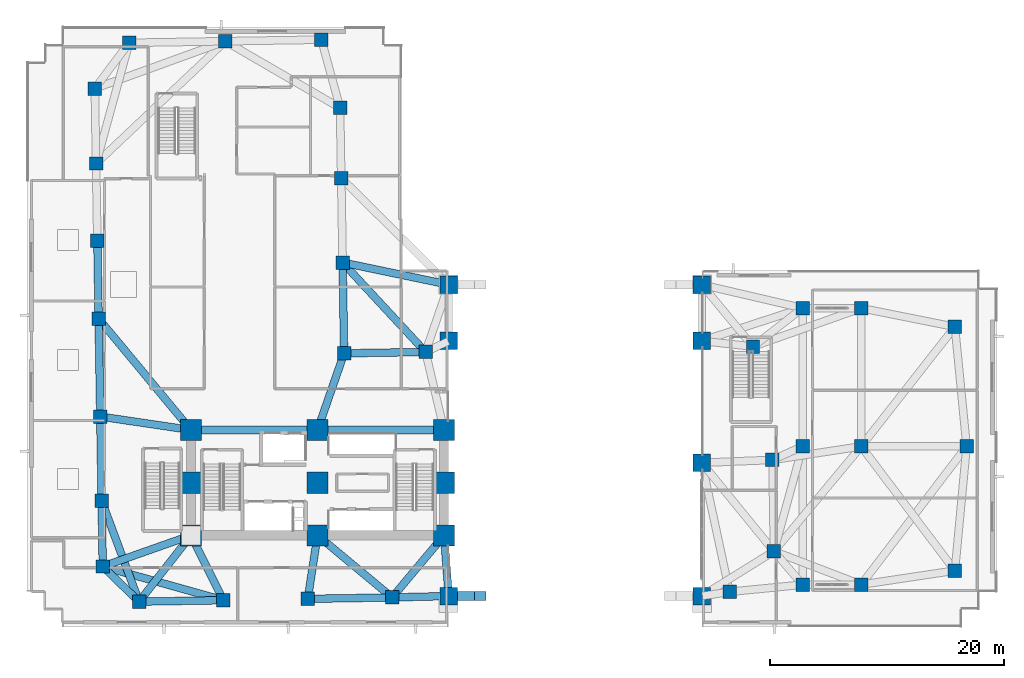
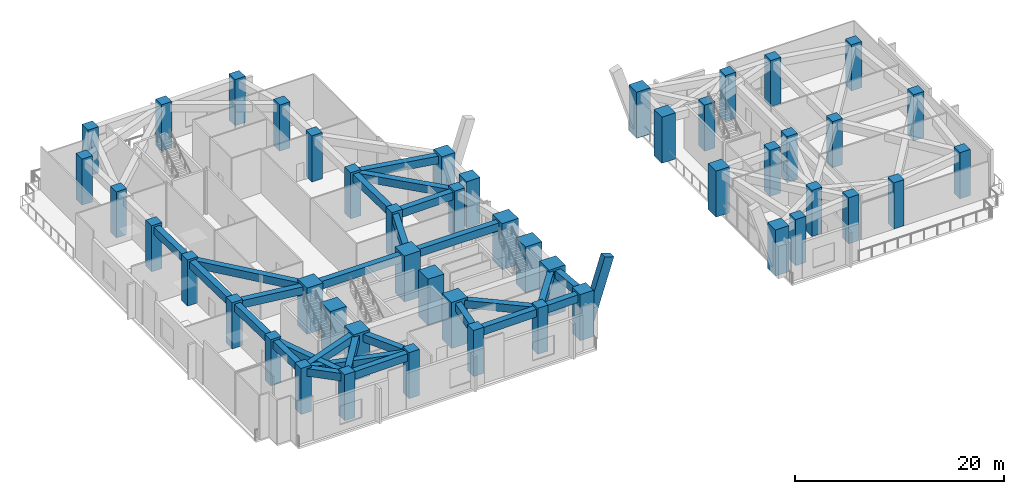
# One storey, part 1 of 18: 48 columns, 27 beams.
"""IFC4 building model written with IfcOpenShell, lengths in metres."""

from ifc_helpers import new_model, si_unit, direction, frame, origin, origin_2d, place, context, subcontext, project, spatial, rectangle, extrude, material, material_profile, profile_set, type_object, element, save


model = new_model("IFC4")

# Units and contexts
model_context = context("Model", 3, precision=1e-05, world=origin(), true_north=direction((0.0, 1.0)))
body_context = subcontext(model_context, "Body", "Model", "MODEL_VIEW")
ifc_project = project(units=[si_unit("LENGTHUNIT", "METRE"), si_unit("AREAUNIT", "SQUARE_METRE"), si_unit("VOLUMEUNIT", "CUBIC_METRE"), si_unit("PLANEANGLEUNIT", "RADIAN"), si_unit("MASSUNIT", "GRAM", prefix="KILO")], contexts=[model_context])

# Site, building, storey
site_placement = place(None, origin())
site = spatial("IfcSite", under=ifc_project, at=site_placement, CompositionType="ELEMENT")
building_placement = place(site_placement, origin())
building = spatial("IfcBuilding", under=site, at=building_placement, Name="Gaonmaruhae Medical Tower", CompositionType="ELEMENT")
storey_placement = place(building_placement, frame((0.0, 0.0, 5.39990234375)))
storey = spatial("IfcBuildingStorey", under=building, at=storey_placement, Name="L01", CompositionType="ELEMENT", Elevation=5.39990234375)

# Columns
ifc_material_1 = material(Name="Concrete C60/75", Category="concrete")
ifc_material_profile_1 = material_profile(ifc_material_1, rectangle(XDim=1.800048828125, YDim=1.800048828125, at=origin_2d()), Name="RC-1800x1800")
ifc_profile_set_1 = profile_set([ifc_material_profile_1], Name="Concrete C60/75")
column_type_1 = type_object("IfcColumnType", Name="CC-01 Lower Core Mega Column (RC-1800x1800)", PredefinedType="COLUMN", material=ifc_profile_set_1)
for number, where, z_axis, x_axis, name in (
    (1, (14.0, 7.800048828125, 0.0), (0.0, 0.0, 1.0), (1.0, 0.0, 0.0), "L01 Plumb Core Column CC11"),
    (2, (14.0, 12.300048828125, 0.0), (0.0, 0.0, 1.0), (1.0, 0.0, 0.0), "L01 Plumb Core Column CC12"),
    (3, (14.0, 16.800048828125, 0.0), (0.0, 0.0, 1.0), (1.0, 0.0, 0.0), "L01 Plumb Core Column CC13"),
    (4, (24.800048828125, 7.800048828125, 0.0), (0.0, 0.0, 1.0), (1.0, 0.0, 0.0), "L01 Plumb Core Column CC21"),
    (5, (24.800048828125, 12.300048828125, 0.0), (0.0, 0.0, 1.0), (1.0, 0.0, 0.0), "L01 Plumb Core Column CC22"),
    (6, (24.800048828125, 16.800048828125, 0.0), (0.0, 0.0, 1.0), (1.0, 0.0, 0.0), "L01 Plumb Core Column CC23"),
    (7, (35.60009765625, 7.800048828125, 0.0), (0.0, 0.0, 1.0), (1.0, 0.0, 0.0), "L01 Plumb Core Column CC31"),
    (8, (35.60009765625, 12.300048828125, 0.0), (0.0, 0.0, 1.0), (1.0, 0.0, 0.0), "L01 Plumb Core Column CC32"),
    (9, (35.60009765625, 16.800048828125, 0.0), (0.0, 0.0, 1.0), (1.0, 0.0, 0.0), "L01 Plumb Core Column CC33"),
):
    element("IfcColumn", number, at=place(storey_placement, frame(where, z_axis=z_axis, x_axis=x_axis)), inside=storey, type_object=column_type_1, Name=name, PredefinedType="COLUMN", context=body_context, shape_type="SweptSolid", body=[
        extrude(rectangle(XDim=1.800048828125, YDim=1.800048828125, at=origin_2d()), origin(), (0.0, 0.0, 1.0), 5.400146484375),
    ])
ifc_material_profile_2 = material_profile(ifc_material_1, rectangle(XDim=1.5, YDim=1.5, at=origin_2d()), Name="RC-1500x1500")
ifc_profile_set_2 = profile_set([ifc_material_profile_2], Name="Concrete C60/75")
column_type_2 = type_object("IfcColumnType", Name="PC-C1 Portal Arch Exterior Spring Pier (RC-1500x1500)", PredefinedType="PILASTER", material=ifc_profile_set_2)
for number, where, z_axis, x_axis, name in (
    (10, (36.0, 29.199951171875, 0.0), (0.0, 0.0, 1.0), (1.0, 0.0, 0.0), "L01 Podium Column AP-W4"),
    (11, (57.60009765625, 29.199951171875, 0.0), (0.0, 0.0, 1.0), (1.0, 0.0, 0.0), "L01 Podium Column AP-E4"),
):
    element("IfcColumn", number, at=place(storey_placement, frame(where, z_axis=z_axis, x_axis=x_axis)), inside=storey, type_object=column_type_2, Name=name, PredefinedType="PILASTER", context=body_context, shape_type="SweptSolid", body=[
        extrude(rectangle(XDim=1.5, YDim=1.5, at=origin_2d()), origin(), (0.0, 0.0, 1.0), 5.400146484375),
    ])
ifc_material_profile_3 = material_profile(ifc_material_1, rectangle(XDim=1.5, YDim=1.5, at=origin_2d()), Name="RC-1500x1500")
ifc_profile_set_3 = profile_set([ifc_material_profile_3], Name="Concrete C60/75")
column_type_3 = type_object("IfcColumnType", Name="PC-C1I Portal Arch Interior Spring Pier (RC-1500x1500)", PredefinedType="PILASTER", material=ifc_profile_set_3)
for number, where, z_axis, x_axis, name in (
    (12, (36.0, 2.6259765625, 0.0), (0.0, 0.0, 1.0), (1.0, 0.0, 0.0), "L01 Podium Column AP-W1"),
    (13, (57.60009765625, 2.6259765625, 0.0), (0.0, 0.0, 1.0), (1.0, 0.0, 0.0), "L01 Podium Column AP-E1"),
    (14, (57.60009765625, 14.0, 0.0), (0.0, 0.0, 1.0), (1.0, 0.0, 0.0), "L01 Podium Column AP-E2"),
    (15, (36.0, 24.39990234375, 0.0), (0.0, 0.0, 1.0), (1.0, 0.0, 0.0), "L01 Podium Column AP-W3"),
    (16, (57.60009765625, 24.39990234375, 0.0), (0.0, 0.0, 1.0), (1.0, 0.0, 0.0), "L01 Podium Column AP-E3"),
):
    element("IfcColumn", number, at=place(storey_placement, frame(where, z_axis=z_axis, x_axis=x_axis)), inside=storey, type_object=column_type_3, Name=name, PredefinedType="PILASTER", context=body_context, shape_type="SweptSolid", body=[
        extrude(rectangle(XDim=1.5, YDim=1.5, at=origin_2d()), origin(), (0.0, 0.0, 1.0), 5.400146484375),
    ])
ifc_material_2 = material(Name="Concrete C50/60", Category="concrete")
ifc_material_profile_4 = material_profile(ifc_material_2, rectangle(XDim=1.14990234375, YDim=1.14990234375, at=origin_2d()), Name="RC-1150x1150")
ifc_profile_set_4 = profile_set([ifc_material_profile_4], Name="Concrete C50/60")
column_type_4 = type_object("IfcColumnType", Name="PC-C2 Podium Perimeter Column (RC-1150x1150)", PredefinedType="COLUMN", material=ifc_profile_set_4)
for number, where, z_axis, x_axis, name in (
    (17, (9.572265625, 2.1484375, 0.0), (0.0, 0.0, 1.0), (1.0, 0.0, 0.0), "L01 Podium Column PL5-S01"),
    (18, (25.129150390625, 50.113037109375, 0.0), (0.0, 0.0, 1.0), (1.0, 0.0, 0.0), "L01 Podium Column PL5-N01"),
    (19, (16.930419921875, 49.97705078125, 0.0), (0.0, 0.0, 1.0), (1.0, 0.0, 0.0), "L01 Podium Column PL5-N02"),
    (20, (8.7314453125, 49.841064453125, 0.0), (0.0, 0.0, 1.0), (1.0, 0.0, 0.0), "L01 Podium Column PL5-N03"),
    (21, (66.199951171875, 3.60009765625, 0.0), (0.0, 0.0, 1.0), (1.0, 0.0, 0.0), "L01 Podium Column PE-01"),
    (22, (66.199951171875, 27.199951171875, 0.0), (0.0, 0.0, 1.0), (1.0, 0.0, 0.0), "L01 Podium Column PE-05"),
    (23, (79.199951171875, 4.800048828125, 0.0), (0.0, 0.0, 1.0), (1.0, 0.0, 0.0), "L01 Podium Column PE-07"),
    (24, (80.199951171875, 15.39990234375, 0.0), (0.0, 0.0, 1.0), (1.0, 0.0, 0.0), "L01 Podium Column PE-08"),
    (25, (79.199951171875, 25.60009765625, 0.0), (0.0, 0.0, 1.0), (1.0, 0.0, 0.0), "L01 Podium Column PE-09"),
):
    element("IfcColumn", number, at=place(storey_placement, frame(where, z_axis=z_axis, x_axis=x_axis)), inside=storey, type_object=column_type_4, Name=name, PredefinedType="COLUMN", context=body_context, shape_type="SweptSolid", body=[
        extrude(rectangle(XDim=1.14990234375, YDim=1.14990234375, at=origin_2d()), origin(), (0.0, 0.0, 1.0), 5.400146484375),
    ])
ifc_material_profile_5 = material_profile(ifc_material_2, rectangle(XDim=1.14990234375, YDim=1.14990234375, at=origin_2d()), Name="RC-1150x1150")
ifc_profile_set_5 = profile_set([ifc_material_profile_5], Name="Concrete C50/60")
column_type_5 = type_object("IfcColumnType", Name="PC-C2I Podium Interior Column (RC-1150x1150)", PredefinedType="COLUMN", material=ifc_profile_set_5)
for number, where, z_axis, x_axis, name in (
    (26, (16.771240234375, 2.267822265625, 0.0), (0.0, 0.0, 1.0), (1.0, 0.0, 0.0), "L01 Podium Column PL5-S02"),
    (27, (23.97021484375, 2.38720703125, 0.0), (0.0, 0.0, 1.0), (1.0, 0.0, 0.0), "L01 Podium Column PL5-S03"),
    (28, (31.169189453125, 2.506591796875, 0.0), (0.0, 0.0, 1.0), (1.0, 0.0, 0.0), "L01 Podium Column PL5-S04"),
    (29, (59.96533203125, 2.984130859375, 0.0), (0.0, 0.0, 1.0), (1.0, 0.0, 0.0), "L01 Podium Column PL5-S08"),
    (30, (63.75830078125, 6.447509765625, 0.0), (0.0, 0.0, 1.0), (1.0, 0.0, 0.0), "L01 Podium Column PL5-E01"),
    (31, (63.629150390625, 14.246337890625, 0.0), (0.0, 0.0, 1.0), (1.0, 0.0, 0.0), "L01 Podium Column PL5-E02"),
    (32, (61.968505859375, 23.920166015625, 0.0), (0.0, 0.0, 1.0), (1.0, 0.0, 0.0), "L01 Podium Column PL5-E03"),
    (33, (34.022216796875, 23.456787109375, 0.0), (0.0, 0.0, 1.0), (1.0, 0.0, 0.0), "L01 Podium Column PL5-EN04"),
    (34, (27.0732421875, 23.341552734375, 0.0), (0.0, 0.0, 1.0), (1.0, 0.0, 0.0), "L01 Podium Column PL5-KN01"),
    (35, (26.94482421875, 31.090576171875, 0.0), (0.0, 0.0, 1.0), (1.0, 0.0, 0.0), "L01 Podium Column PL5-NE01"),
    (36, (26.825439453125, 38.28955078125, 0.0), (0.0, 0.0, 1.0), (1.0, 0.0, 0.0), "L01 Podium Column PL5-NE02"),
    (37, (26.725830078125, 44.288818359375, 0.0), (0.0, 0.0, 1.0), (1.0, 0.0, 0.0), "L01 Podium Column PL5-NE03"),
    (38, (5.795654296875, 45.94189453125, 0.0), (0.0, 0.0, 1.0), (1.0, 0.0, 0.0), "L01 Podium Column PL5-W01"),
    (39, (5.90185546875, 39.542724609375, 0.0), (0.0, 0.0, 1.0), (1.0, 0.0, 0.0), "L01 Podium Column PL5-W02"),
    (40, (6.01123046875, 32.943603515625, 0.0), (0.0, 0.0, 1.0), (1.0, 0.0, 0.0), "L01 Podium Column PL5-W03"),
    (41, (6.121337890625, 26.294677734375, 0.0), (0.0, 0.0, 1.0), (1.0, 0.0, 0.0), "L01 Podium Column PL5-W04"),
    (42, (6.260009765625, 17.94580078125, 0.0), (0.0, 0.0, 1.0), (1.0, 0.0, 0.0), "L01 Podium Column PL5-W05"),
    (43, (6.37939453125, 10.746826171875, 0.0), (0.0, 0.0, 1.0), (1.0, 0.0, 0.0), "L01 Podium Column PL5-W06"),
    (44, (6.47216796875, 5.1474609375, 0.0), (0.0, 0.0, 1.0), (1.0, 0.0, 0.0), "L01 Podium Column PL5-W07"),
    (45, (71.199951171875, 3.60009765625, 0.0), (0.0, 0.0, 1.0), (1.0, 0.0, 0.0), "L01 Podium Column PE-02"),
    (46, (66.199951171875, 15.39990234375, 0.0), (0.0, 0.0, 1.0), (1.0, 0.0, 0.0), "L01 Podium Column PE-03"),
    (47, (71.199951171875, 15.39990234375, 0.0), (0.0, 0.0, 1.0), (1.0, 0.0, 0.0), "L01 Podium Column PE-04"),
    (48, (71.199951171875, 27.199951171875, 0.0), (0.0, 0.0, 1.0), (1.0, 0.0, 0.0), "L01 Podium Column PE-06"),
):
    element("IfcColumn", number, at=place(storey_placement, frame(where, z_axis=z_axis, x_axis=x_axis)), inside=storey, type_object=column_type_5, Name=name, PredefinedType="COLUMN", context=body_context, shape_type="SweptSolid", body=[
        extrude(rectangle(XDim=1.14990234375, YDim=1.14990234375, at=origin_2d()), origin(), (0.0, 0.0, 1.0), 5.400146484375),
    ])

# Beams
ifc_material_profile_6 = material_profile(ifc_material_1, rectangle(XDim=0.75, YDim=1.050048828125, at=origin_2d()), Name="RCG-750x1050")
ifc_profile_set_6 = profile_set([ifc_material_profile_6], Name="Concrete C60/75")
beam_type_1 = type_object("IfcBeamType", Name="AG-01 Portal Arch Rib Girder (RCG-750x1050)", PredefinedType="BEAM", material=ifc_profile_set_6)
beam_1_placement = place(storey_placement, frame((36.0, 2.6259765625, 0.0), z_axis=(0.305999328061, 0.0, 0.952031728057), x_axis=(0.0, 1.0, 0.0)))
element("IfcBeam", 49, at=beam_1_placement, inside=storey, type_object=beam_type_1, Name="Portal Arch Faceted Rib S01", PredefinedType="BEAM", context=body_context, shape_type="SweptSolid", body=[
    extrude(rectangle(XDim=0.75, YDim=1.050048828125, at=origin_2d()), origin(), (0.0, 0.0, 1.0), 8.823486328125),
])
ifc_material_profile_7 = material_profile(ifc_material_2, rectangle(XDim=0.64990234375, YDim=0.89990234375, at=origin_2d()), Name="RCG-650x900")
ifc_profile_set_7 = profile_set([ifc_material_profile_7], Name="Concrete C50/60")
beam_type_2 = type_object("IfcBeamType", Name="RG-01 Podium Primary RC Girder (RCG-650x900)", PredefinedType="BEAM", material=ifc_profile_set_7)
for number, where, z_axis, x_axis, name in (
    (50, (14.050048828125, 16.800048828125, 4.7001953125), (1.0, 0.0, 0.0), (0.0, 1.0, 0.0), "L01 Beam BM-L01-CG-N1"),
    (51, (24.85009765625, 16.800048828125, 4.7001953125), (1.0, 0.0, 0.0), (0.0, 1.0, 0.0), "L01 Beam BM-L01-CG-N2"),
):
    element("IfcBeam", number, at=place(storey_placement, frame(where, z_axis=z_axis, x_axis=x_axis)), inside=storey, type_object=beam_type_2, Name=name, PredefinedType="BEAM", context=body_context, shape_type="SweptSolid", body=[
        extrude(rectangle(XDim=0.64990234375, YDim=0.89990234375, at=origin_2d()), origin(), (0.0, 0.0, 1.0), 10.699951171875),
    ])
beam_2_placement = place(storey_placement, frame((35.949951171875, 2.624755859375, 4.7001953125), z_axis=(-0.999694600046, -0.024712479405, 0.0), x_axis=(0.024712479405, -0.999694600046, 0.0)))
element("IfcBeam", 52, at=beam_2_placement, inside=storey, type_object=beam_type_2, Name="L01 Beam BM-L01-PG001", PredefinedType="BEAM", context=body_context, shape_type="SweptSolid", body=[
    extrude(rectangle(XDim=0.64990234375, YDim=0.89990234375, at=origin_2d()), origin(), (0.0, 0.0, 1.0), 4.732177734375),
])
beam_3_placement = place(storey_placement, frame((35.99609375, 2.67578125, 4.7001953125), z_axis=(-0.077085319769, 0.997024499938, 0.0), x_axis=(-0.997024499938, -0.077085319769, 0.0)))
element("IfcBeam", 53, at=beam_3_placement, inside=storey, type_object=beam_type_2, Name="L01 Beam BM-L01-PG002", PredefinedType="BEAM", context=body_context, shape_type="SweptSolid", body=[
    extrude(rectangle(XDim=0.64990234375, YDim=0.89990234375, at=origin_2d()), origin(), (0.0, 0.0, 1.0), 5.089599609375),
])
beam_4_placement = place(storey_placement, frame((35.951171875, 29.210205078125, 4.7001953125), z_axis=(-0.978893765429, 0.204369753153, 0.0), x_axis=(-0.204369753153, -0.978893765429, 0.0)))
element("IfcBeam", 54, at=beam_4_placement, inside=storey, type_object=beam_type_2, Name="L01 Beam BM-L01-PG012", PredefinedType="BEAM", context=body_context, shape_type="SweptSolid", body=[
    extrude(rectangle(XDim=0.64990234375, YDim=0.89990234375, at=origin_2d()), origin(), (0.0, 0.0, 1.0), 9.150634765625),
])
beam_5_placement = place(storey_placement, frame((9.536376953125, 2.183349609375, 4.7001953125), z_axis=(-0.71874317397, 0.695275664662, 0.0), x_axis=(-0.695275664662, -0.71874317397, 0.0)))
element("IfcBeam", 55, at=beam_5_placement, inside=storey, type_object=beam_type_2, Name="L01 Beam BM-L01-PG015", PredefinedType="BEAM", context=body_context, shape_type="SweptSolid", body=[
    extrude(rectangle(XDim=0.64990234375, YDim=0.89990234375, at=origin_2d()), origin(), (0.0, 0.0, 1.0), 4.21337890625),
])
beam_6_placement = place(storey_placement, frame((9.60302734375, 2.187744140625, 4.7001953125), z_axis=(0.616722881004, 0.787180340231, 0.0), x_axis=(-0.787180340231, 0.616722881004, 0.0)))
element("IfcBeam", 56, at=beam_6_placement, inside=storey, type_object=beam_type_2, Name="L01 Beam BM-L01-PG016", PredefinedType="BEAM", context=body_context, shape_type="SweptSolid", body=[
    extrude(rectangle(XDim=0.64990234375, YDim=0.89990234375, at=origin_2d()), origin(), (0.0, 0.0, 1.0), 7.07958984375),
])
beam_7_placement = place(storey_placement, frame((16.7490234375, 2.3125, 4.7001953125), z_axis=(-0.447887224471, 0.894090059309, 0.0), x_axis=(-0.894090059309, -0.447887224471, 0.0)))
element("IfcBeam", 57, at=beam_7_placement, inside=storey, type_object=beam_type_2, Name="L01 Beam BM-L01-PG017", PredefinedType="BEAM", context=body_context, shape_type="SweptSolid", body=[
    extrude(rectangle(XDim=0.64990234375, YDim=0.89990234375, at=origin_2d()), origin(), (0.0, 0.0, 1.0), 6.087646484375),
])
beam_8_placement = place(storey_placement, frame((16.72119140625, 2.26708984375, 4.7001953125), z_axis=(-0.99986263522, -0.016574398672, 0.0), x_axis=(0.016574398672, -0.99986263522, 0.0)))
element("IfcBeam", 58, at=beam_8_placement, inside=storey, type_object=beam_type_2, Name="L01 Beam BM-L01-PG018", PredefinedType="BEAM", context=body_context, shape_type="SweptSolid", body=[
    extrude(rectangle(XDim=0.64990234375, YDim=0.89990234375, at=origin_2d()), origin(), (0.0, 0.0, 1.0), 7.099853515625),
])
beam_9_placement = place(storey_placement, frame((23.977783203125, 2.436767578125, 4.7001953125), z_axis=(0.15154867759, 0.988449795549, 0.0), x_axis=(-0.988449795549, 0.15154867759, 0.0)))
element("IfcBeam", 59, at=beam_9_placement, inside=storey, type_object=beam_type_2, Name="L01 Beam BM-L01-PG019", PredefinedType="BEAM", context=body_context, shape_type="SweptSolid", body=[
    extrude(rectangle(XDim=0.64990234375, YDim=0.89990234375, at=origin_2d()), origin(), (0.0, 0.0, 1.0), 5.375732421875),
])
beam_10_placement = place(storey_placement, frame((24.020263671875, 2.38818359375, 4.7001953125), z_axis=(0.999862644666, 0.01657382883, 0.0), x_axis=(-0.01657382883, 0.999862644666, 0.0)))
element("IfcBeam", 60, at=beam_10_placement, inside=storey, type_object=beam_type_2, Name="L01 Beam BM-L01-PG020", PredefinedType="BEAM", context=body_context, shape_type="SweptSolid", body=[
    extrude(rectangle(XDim=0.64990234375, YDim=0.89990234375, at=origin_2d()), origin(), (0.0, 0.0, 1.0), 7.10009765625),
])
beam_11_placement = place(storey_placement, frame((31.201416015625, 2.544921875, 4.7001953125), z_axis=(0.641841952808, 0.766836949824, 0.0), x_axis=(-0.766836949824, 0.641841952808, 0.0)))
element("IfcBeam", 61, at=beam_11_placement, inside=storey, type_object=beam_type_2, Name="L01 Beam BM-L01-PG021", PredefinedType="BEAM", context=body_context, shape_type="SweptSolid", body=[
    extrude(rectangle(XDim=0.64990234375, YDim=0.89990234375, at=origin_2d()), origin(), (0.0, 0.0, 1.0), 6.802978515625),
])
beam_12_placement = place(storey_placement, frame((31.130859375, 2.53857421875, 4.7001953125), z_axis=(-0.769076636627, 0.639156574709, 0.0), x_axis=(-0.639156574709, -0.769076636627, 0.0)))
element("IfcBeam", 62, at=beam_12_placement, inside=storey, type_object=beam_type_2, Name="L01 Beam BM-L01-PG022", PredefinedType="BEAM", context=body_context, shape_type="SweptSolid", body=[
    extrude(rectangle(XDim=0.64990234375, YDim=0.89990234375, at=origin_2d()), origin(), (0.0, 0.0, 1.0), 8.181884765625),
])
beam_13_placement = place(storey_placement, frame((33.972412109375, 23.4560546875, 4.7001953125), z_axis=(-0.999862660061, -0.016572900012, 0.0), x_axis=(0.016572900012, -0.999862660061, 0.0)))
element("IfcBeam", 63, at=beam_13_placement, inside=storey, type_object=beam_type_2, Name="L01 Beam BM-L01-PG032", PredefinedType="BEAM", context=body_context, shape_type="SweptSolid", body=[
    extrude(rectangle(XDim=0.64990234375, YDim=0.89990234375, at=origin_2d()), origin(), (0.0, 0.0, 1.0), 6.85009765625),
])
beam_14_placement = place(storey_placement, frame((27.056884765625, 23.29443359375, 4.7001953125), z_axis=(-0.328252856343, -0.944589891065, 0.0), x_axis=(0.944589891065, -0.328252856343, 0.0)))
element("IfcBeam", 64, at=beam_14_placement, inside=storey, type_object=beam_type_2, Name="L01 Beam BM-L01-PG033", PredefinedType="BEAM", context=body_context, shape_type="SweptSolid", body=[
    extrude(rectangle(XDim=0.64990234375, YDim=0.89990234375, at=origin_2d()), origin(), (0.0, 0.0, 1.0), 6.825439453125),
])
beam_15_placement = place(storey_placement, frame((27.072509765625, 23.3916015625, 4.7001953125), z_axis=(-0.016595224727, 0.999862289776, 0.0), x_axis=(-0.999862289776, -0.016595224727, 0.0)))
element("IfcBeam", 65, at=beam_15_placement, inside=storey, type_object=beam_type_2, Name="L01 Beam BM-L01-PG034", PredefinedType="BEAM", context=body_context, shape_type="SweptSolid", body=[
    extrude(rectangle(XDim=0.64990234375, YDim=0.89990234375, at=origin_2d()), origin(), (0.0, 0.0, 1.0), 7.64990234375),
])
beam_16_placement = place(storey_placement, frame((26.978759765625, 31.053955078125, 4.7001953125), z_axis=(0.679878677461, -0.733324610206, 0.0), x_axis=(0.733324610206, 0.679878677461, 0.0)))
element("IfcBeam", 66, at=beam_16_placement, inside=storey, type_object=beam_type_2, Name="L01 Beam BM-L01-PG036", PredefinedType="BEAM", context=body_context, shape_type="SweptSolid", body=[
    extrude(rectangle(XDim=0.64990234375, YDim=0.89990234375, at=origin_2d()), origin(), (0.0, 0.0, 1.0), 10.31005859375),
])
beam_17_placement = place(storey_placement, frame((6.011962890625, 32.893798828125, 4.7001953125), z_axis=(0.016586102524, -0.99986244114, 0.0), x_axis=(0.99986244114, 0.016586102524, 0.0)))
element("IfcBeam", 67, at=beam_17_placement, inside=storey, type_object=beam_type_2, Name="L01 Beam BM-L01-PG049", PredefinedType="BEAM", context=body_context, shape_type="SweptSolid", body=[
    extrude(rectangle(XDim=0.64990234375, YDim=0.89990234375, at=origin_2d()), origin(), (0.0, 0.0, 1.0), 6.55029296875),
])
beam_18_placement = place(storey_placement, frame((6.122314453125, 26.24462890625, 4.7001953125), z_axis=(0.016572145992, -0.999862672559, 0.0), x_axis=(0.999862672559, 0.016572145992, 0.0)))
element("IfcBeam", 68, at=beam_18_placement, inside=storey, type_object=beam_type_2, Name="L01 Beam BM-L01-PG050", PredefinedType="BEAM", context=body_context, shape_type="SweptSolid", body=[
    extrude(rectangle(XDim=0.64990234375, YDim=0.89990234375, at=origin_2d()), origin(), (0.0, 0.0, 1.0), 8.25),
])
beam_19_placement = place(storey_placement, frame((6.1533203125, 26.256103515625, 4.7001953125), z_axis=(0.638571966842, -0.76956211131, 0.0), x_axis=(0.76956211131, 0.638571966842, 0.0)))
element("IfcBeam", 69, at=beam_19_placement, inside=storey, type_object=beam_type_2, Name="L01 Beam BM-L01-PG051", PredefinedType="BEAM", context=body_context, shape_type="SweptSolid", body=[
    extrude(rectangle(XDim=0.64990234375, YDim=0.89990234375, at=origin_2d()), origin(), (0.0, 0.0, 1.0), 12.23779296875),
])
beam_20_placement = place(storey_placement, frame((6.2607421875, 17.895751953125, 4.7001953125), z_axis=(0.016574398672, -0.99986263522, 0.0), x_axis=(0.99986263522, 0.016574398672, 0.0)))
element("IfcBeam", 70, at=beam_20_placement, inside=storey, type_object=beam_type_2, Name="L01 Beam BM-L01-PG052", PredefinedType="BEAM", context=body_context, shape_type="SweptSolid", body=[
    extrude(rectangle(XDim=0.64990234375, YDim=0.89990234375, at=origin_2d()), origin(), (0.0, 0.0, 1.0), 7.099853515625),
])
beam_21_placement = place(storey_placement, frame((6.309326171875, 17.9384765625, 4.7001953125), z_axis=(0.989220595227, -0.146432967528, 0.0), x_axis=(0.146432967528, 0.989220595227, 0.0)))
element("IfcBeam", 71, at=beam_21_placement, inside=storey, type_object=beam_type_2, Name="L01 Beam BM-L01-PG053", PredefinedType="BEAM", context=body_context, shape_type="SweptSolid", body=[
    extrude(rectangle(XDim=0.64990234375, YDim=0.89990234375, at=origin_2d()), origin(), (0.0, 0.0, 1.0), 7.724365234375),
])
beam_22_placement = place(storey_placement, frame((6.380126953125, 10.69677734375, 4.7001953125), z_axis=(0.016557108537, -0.999862921683, 0.0), x_axis=(0.999862921683, 0.016557108537, 0.0)))
element("IfcBeam", 72, at=beam_22_placement, inside=storey, type_object=beam_type_2, Name="L01 Beam BM-L01-PG054", PredefinedType="BEAM", context=body_context, shape_type="SweptSolid", body=[
    extrude(rectangle(XDim=0.64990234375, YDim=0.89990234375, at=origin_2d()), origin(), (0.0, 0.0, 1.0), 5.5),
])
beam_23_placement = place(storey_placement, frame((6.396728515625, 10.699951171875, 4.7001953125), z_axis=(0.348122339765, -0.937449111449, 0.0), x_axis=(0.937449111449, 0.348122339765, 0.0)))
element("IfcBeam", 73, at=beam_23_placement, inside=storey, type_object=beam_type_2, Name="L01 Beam BM-L01-PG055", PredefinedType="BEAM", context=body_context, shape_type="SweptSolid", body=[
    extrude(rectangle(XDim=0.64990234375, YDim=0.89990234375, at=origin_2d()), origin(), (0.0, 0.0, 1.0), 9.072021484375),
])
beam_24_placement = place(storey_placement, frame((6.519287109375, 5.1640625, 4.7001953125), z_axis=(0.943158912801, 0.332342090628, 0.0), x_axis=(-0.332342090628, 0.943158912801, 0.0)))
element("IfcBeam", 74, at=beam_24_placement, inside=storey, type_object=beam_type_2, Name="L01 Beam BM-L01-PG056", PredefinedType="BEAM", context=body_context, shape_type="SweptSolid", body=[
    extrude(rectangle(XDim=0.64990234375, YDim=0.89990234375, at=origin_2d()), origin(), (0.0, 0.0, 1.0), 7.881591796875),
])
beam_25_placement = place(storey_placement, frame((6.520263671875, 5.134033203125, 4.7001953125), z_axis=(0.963062562171, -0.269277740159, 0.0), x_axis=(0.269277740159, 0.963062562171, 0.0)))
element("IfcBeam", 75, at=beam_25_placement, inside=storey, type_object=beam_type_2, Name="L01 Beam BM-L01-PG057", PredefinedType="BEAM", context=body_context, shape_type="SweptSolid", body=[
    extrude(rectangle(XDim=0.64990234375, YDim=0.89990234375, at=origin_2d()), origin(), (0.0, 0.0, 1.0), 10.59423828125),
])

save(model, "model.ifc")
